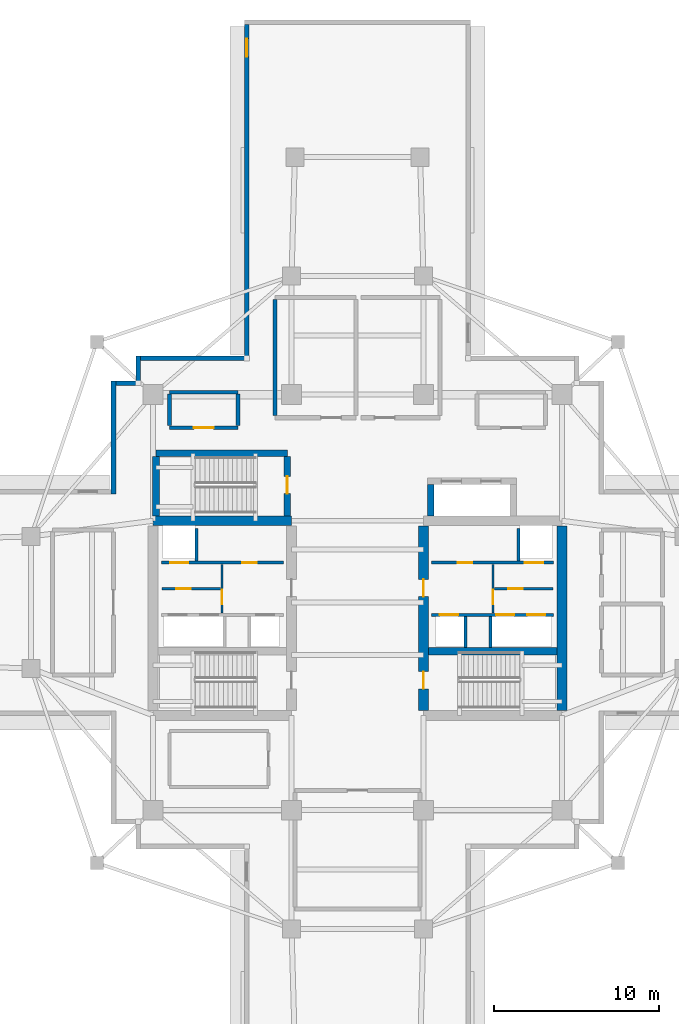
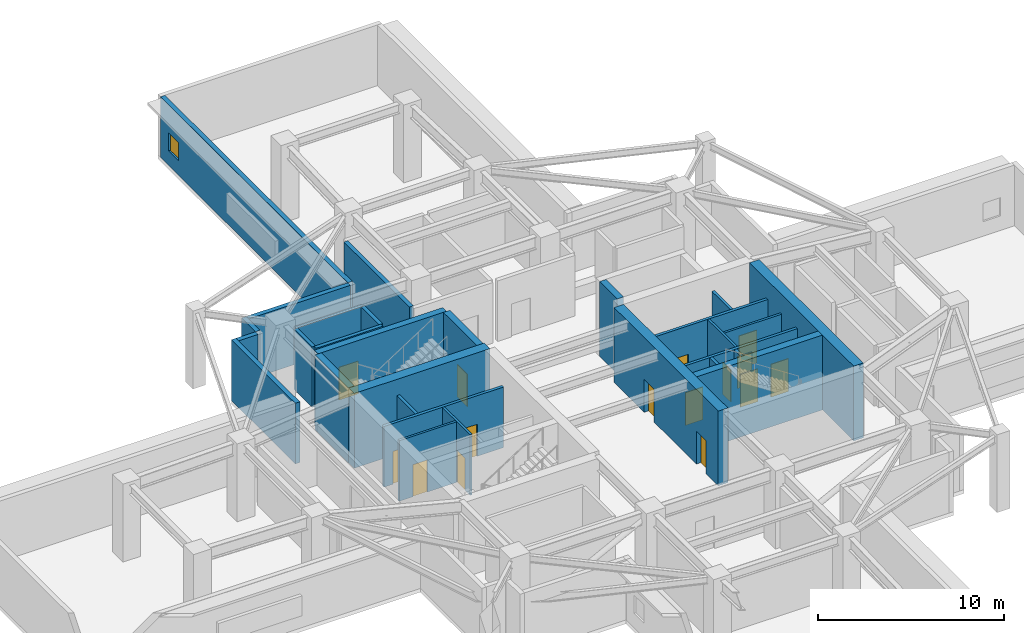
# One storey, part 4 of 11: 29 walls, 15 doors, 1 window, 16 openings.
"""IFC4 building model written with IfcOpenShell, lengths in metres."""

from ifc_helpers import new_model, si_unit, direction, frame, frame_2d, origin, place, context, subcontext, project, spatial, rectangle, extrude, material, layer, layer_set, type_object, element, fill, save


model = new_model("IFC4")

# Units and contexts
model_context = context("Model", 3, precision=1e-05, world=origin(), true_north=direction((0.0, 1.0)))
body_context = subcontext(model_context, "Body", "Model", "MODEL_VIEW")
ifc_project = project(units=[si_unit("LENGTHUNIT", "METRE"), si_unit("AREAUNIT", "SQUARE_METRE"), si_unit("VOLUMEUNIT", "CUBIC_METRE"), si_unit("PLANEANGLEUNIT", "RADIAN"), si_unit("MASSUNIT", "GRAM", prefix="KILO")], contexts=[model_context])

# Site, building, storey
site_placement = place(None, origin())
site = spatial("IfcSite", under=ifc_project, at=site_placement, CompositionType="ELEMENT")
building_placement = place(site_placement, origin())
building = spatial("IfcBuilding", under=site, at=building_placement, Name="Qingluan Cross Belvedere", CompositionType="ELEMENT")
storey_placement = place(building_placement, frame((0.0, 0.0, 143.699951171875)))
storey = spatial("IfcBuildingStorey", under=building, at=storey_placement, Name="L36", CompositionType="ELEMENT", Elevation=143.699951171875)

# Walls
ifc_material_1 = material(Name="Concrete C50", Category="concrete")
ifc_layer_1 = layer(ifc_material_1, 0.449951171875, Name="CoreShearWall_450")
ifc_layer_set_1 = layer_set([ifc_layer_1], Name="Concrete C50")
wall_type_1 = type_object("IfcWallType", Name="CoreShearWall_450", PredefinedType="SHEAR", material=ifc_layer_set_1)
wall_1_placement = place(storey_placement, frame((4.304931640625, -2.9599609375, 0.0), z_axis=(0.0, 0.0, 1.0), x_axis=(1.0, 0.0, 0.0)))
element("IfcWall", 1, at=wall_1_placement, inside=storey, type_object=wall_type_1, Name="Split core E shear wall L36-M", PredefinedType="SHEAR", context=body_context, shape_type="SweptSolid", body=[
    extrude(rectangle(XDim=7.7900390625, YDim=0.449951171875, at=frame_2d((3.89501953125, 0.0))), origin(), (0.0, 0.0, 1.0), 4.900146484375),
])
wall_2_placement = place(storey_placement, frame((-12.219970703125, 9.0400390625, 0.0), z_axis=(0.0, 0.0, 1.0), x_axis=(1.0, 0.0, 0.0)))
element("IfcWall", 2, at=wall_2_placement, inside=storey, type_object=wall_type_1, Name="Stair ST3 structural wall N L36", PredefinedType="SHEAR", context=body_context, shape_type="SweptSolid", body=[
    extrude(rectangle(XDim=7.9599609375, YDim=0.39990234375, at=frame_2d((3.97998046875, 0.0))), origin(), (0.0, 0.0, 1.0), 4.900146484375),
])
wall_3_placement = place(storey_placement, frame((-12.219970703125, 5.2548828125, 0.0), z_axis=(0.0, 0.0, 1.0), x_axis=(0.0, 1.0, 0.0)))
element("IfcWall", 3, at=wall_3_placement, inside=storey, type_object=wall_type_1, Name="Stair ST3 structural wall W L36", PredefinedType="SHEAR", context=body_context, shape_type="SweptSolid", body=[
    extrude(rectangle(XDim=3.580078125, YDim=0.39990234375, at=frame_2d((1.7900390625, 0.0))), origin(), (0.0, 0.0, 1.0), 4.900146484375),
])

# Wall, opening, door
wall_4_placement = place(storey_placement, frame((-4.260009765625, 5.2548828125, 0.0), z_axis=(0.0, 0.0, 1.0), x_axis=(0.0, 1.0, 0.0)))
wall_4 = element("IfcWall", 4, at=wall_4_placement, inside=storey, type_object=wall_type_1, Name="Stair ST3 structural wall E L36", PredefinedType="SHEAR", context=body_context, shape_type="SweptSolid", body=[
    extrude(rectangle(XDim=3.580078125, YDim=0.39990234375, at=frame_2d((1.7900390625, 0.0))), origin(), (0.0, 0.0, 1.0), 4.900146484375),
])
opening_1_placement = place(wall_4_placement, frame((1.344970703125, 0.0, 0.0)))
opening_1 = element("IfcOpeningElement", 5, at=opening_1_placement, cuts=wall_4, Name="Opening FD-B11", PredefinedType="OPENING", context=body_context, shape_type="SweptSolid", body=[
    extrude(rectangle(XDim=1.050048828125, YDim=2.14990234375, at=frame_2d((0.52490234375, 1.074951171875))), frame((0.0, 0.2099609375, 0.0), z_axis=(0.0, -1.0, 0.0), x_axis=(1.0, 0.0, 0.0)), (0.0, 0.0, 1.0), 0.419921875),
])
ifc_material_2 = material(Name="Steel Class B smoke-seal fire door", Category="steel")
door_type_1 = type_object("IfcDoorType", Name="StairLobbyFireDoor_FDB", OperationType="NOTDEFINED", PredefinedType="DOOR", material=ifc_material_2)
door_1_placement = place(opening_1_placement, origin())
door_1 = element("IfcDoor", 6, at=door_1_placement, inside=storey, type_object=door_type_1, Name="Smoke-proof stair ST3 fire door L36", OperationType="SINGLE_SWING_RIGHT", OverallHeight=2.14990234375, OverallWidth=1.050048828125, PredefinedType="DOOR", context=body_context, shape_type="SweptSolid", body=[
    extrude(rectangle(XDim=1.050048828125, YDim=2.14990234375, at=frame_2d((0.52490234375, 1.074951171875))), frame((0.0, 0.02490234375, 0.0), z_axis=(0.0, -1.0, 0.0), x_axis=(1.0, 0.0, 0.0)), (0.0, 0.0, 1.0), 0.050048828125),
])
fill(opening_1, door_1)

# Walls
wall_5_placement = place(storey_placement, frame((4.449951171875, 5.2548828125, 0.0), z_axis=(0.0, 0.0, 1.0), x_axis=(0.0, 1.0, 0.0)))
element("IfcWall", 7, at=wall_5_placement, inside=storey, type_object=wall_type_1, Name="Express shuttle core wall L36-W", PredefinedType="SHEAR", context=body_context, shape_type="SweptSolid", body=[
    extrude(rectangle(XDim=1.885009765625, YDim=0.39990234375, at=frame_2d((0.9423828125, 0.0))), origin(), (0.0, 0.0, 1.0), 4.900146484375),
])
ifc_material_3 = material(Name="Concrete C60", Category="concrete")
ifc_layer_2 = layer(ifc_material_3, 0.60009765625, Name="CoreShearWall_600")
ifc_layer_set_2 = layer_set([ifc_layer_2], Name="Concrete C60")
wall_type_2 = type_object("IfcWallType", Name="CoreShearWall_600", PredefinedType="SHEAR", material=ifc_layer_set_2)
wall_6_placement = place(storey_placement, frame((-12.39990234375, 4.949951171875, 0.0), z_axis=(0.0, 0.0, 1.0), x_axis=(1.0, 0.0, 0.0)))
element("IfcWall", 8, at=wall_6_placement, inside=storey, type_object=wall_type_2, Name="Split core W shear wall L36-N", PredefinedType="SHEAR", context=body_context, shape_type="SweptSolid", body=[
    extrude(rectangle(XDim=8.39990234375, YDim=0.60009765625, at=frame_2d((4.199951171875, 0.0))), origin(), (0.0, 0.0, 1.0), 4.900146484375),
])

# Wall, openings, doors
wall_7_placement = place(storey_placement, frame((4.0, -6.544921875, 0.0), z_axis=(0.0, 0.0, 1.0), x_axis=(0.0, 1.0, 0.0)))
wall_7 = element("IfcWall", 9, at=wall_7_placement, inside=storey, type_object=wall_type_2, Name="Split core E shear wall L36-W", PredefinedType="SHEAR", context=body_context, shape_type="SweptSolid", body=[
    extrude(rectangle(XDim=11.18994140625, YDim=0.60009765625, at=frame_2d((5.594970703125, 0.0))), origin(), (0.0, 0.0, 1.0), 4.900146484375),
])
opening_2_placement = place(wall_7_placement, frame((1.294921875, 0.0, 0.0)))
opening_2 = element("IfcOpeningElement", 10, at=opening_2_placement, cuts=wall_7, Name="Opening FD-B11", PredefinedType="OPENING", context=body_context, shape_type="SweptSolid", body=[
    extrude(rectangle(XDim=1.050048828125, YDim=2.14990234375, at=frame_2d((0.52490234375, 1.074951171875))), frame((0.0, 0.31005859375, 0.0), z_axis=(0.0, -1.0, 0.0), x_axis=(1.0, 0.0, 0.0)), (0.0, 0.0, 1.0), 0.6201171875),
])
opening_3_placement = place(wall_7_placement, frame((6.89501953125, 0.0, 0.0)))
opening_3 = element("IfcOpeningElement", 11, at=opening_3_placement, cuts=wall_7, Name="Opening FD-B11", PredefinedType="OPENING", context=body_context, shape_type="SweptSolid", body=[
    extrude(rectangle(XDim=1.050048828125, YDim=2.14990234375, at=frame_2d((0.52490234375, 1.074951171875))), frame((0.0, 0.31005859375, 0.0), z_axis=(0.0, -1.0, 0.0), x_axis=(1.0, 0.0, 0.0)), (0.0, 0.0, 1.0), 0.6201171875),
])
door_2_placement = place(opening_2_placement, origin())
door_2 = element("IfcDoor", 12, at=door_2_placement, inside=storey, type_object=door_type_1, Name="Smoke-proof stair ST2 fire door L36", OperationType="SINGLE_SWING_LEFT", OverallHeight=2.14990234375, OverallWidth=1.050048828125, PredefinedType="DOOR", context=body_context, shape_type="SweptSolid", body=[
    extrude(rectangle(XDim=1.050048828125, YDim=2.14990234375, at=frame_2d((0.52490234375, 1.074951171875))), frame((0.0, 0.02490234375, 0.0), z_axis=(0.0, -1.0, 0.0), x_axis=(1.0, 0.0, 0.0)), (0.0, 0.0, 1.0), 0.050048828125),
])
fill(opening_2, door_2)
door_3_placement = place(opening_3_placement, origin())
door_3 = element("IfcDoor", 13, at=door_3_placement, inside=storey, type_object=door_type_1, Name="Firefighting lobby East fire door L36", OperationType="SINGLE_SWING_LEFT", OverallHeight=2.14990234375, OverallWidth=1.050048828125, PredefinedType="DOOR", context=body_context, shape_type="SweptSolid", body=[
    extrude(rectangle(XDim=1.050048828125, YDim=2.14990234375, at=frame_2d((0.52490234375, 1.074951171875))), frame((0.0, 0.02490234375, 0.0), z_axis=(0.0, -1.0, 0.0), x_axis=(1.0, 0.0, 0.0)), (0.0, 0.0, 1.0), 0.050048828125),
])
fill(opening_3, door_3)

# Wall
wall_8_placement = place(storey_placement, frame((12.39990234375, -6.544921875, 0.0), z_axis=(0.0, 0.0, 1.0), x_axis=(0.0, 1.0, 0.0)))
element("IfcWall", 14, at=wall_8_placement, inside=storey, type_object=wall_type_2, Name="Split core E shear wall L36-E", PredefinedType="SHEAR", context=body_context, shape_type="SweptSolid", body=[
    extrude(rectangle(XDim=11.18994140625, YDim=0.60009765625, at=frame_2d((5.594970703125, 0.0))), origin(), (0.0, 0.0, 1.0), 4.900146484375),
])

# Wall, opening, door
ifc_material_4 = material(Name="Gypsum plasterboard on steel stud acoustic partition", Category="steel")
ifc_layer_3 = layer(ifc_material_4, 0.159912109375, Name="CorridorPartition_160")
ifc_layer_set_3 = layer_set([ifc_layer_3], Name="Gypsum plasterboard on steel stud acoustic partition")
wall_type_3 = type_object("IfcWallType", Name="CorridorPartition_160", PredefinedType="PARTITIONING", material=ifc_layer_set_3)
wall_9_placement = place(storey_placement, frame((-11.85009765625, 0.830078125, 0.0), z_axis=(0.0, 0.0, 1.0), x_axis=(1.0, 0.0, 0.0)))
wall_9 = element("IfcWall", 15, at=wall_9_placement, inside=storey, type_object=wall_type_3, Name="Partition L36:w", PredefinedType="PARTITIONING", context=body_context, shape_type="SweptSolid", body=[
    extrude(rectangle(XDim=3.552001953125, YDim=0.139892578125, at=frame_2d((1.77587890625, 0.0))), origin(), (0.0, 0.0, 1.0), 3.969970703125),
])
opening_4_placement = place(wall_9_placement, frame((0.85009765625, 0.0, 0.0)))
opening_4 = element("IfcOpeningElement", 16, at=opening_4_placement, cuts=wall_9, Name="Opening FD-B10", PredefinedType="OPENING", context=body_context, shape_type="SweptSolid", body=[
    extrude(rectangle(XDim=0.8798828125, YDim=2.10009765625, at=frame_2d((0.43994140625, 1.050048828125))), frame((0.0, 0.079833984375, 0.0), z_axis=(0.0, -1.0, 0.0), x_axis=(1.0, 0.0, 0.0)), (0.0, 0.0, 1.0), 0.159912109375),
])
ifc_material_5 = material(Name="Steel Class B service fire door", Category="steel")
door_type_2 = type_object("IfcDoorType", Name="RiserServiceFireDoor_FDB", OperationType="NOTDEFINED", PredefinedType="DOOR", material=ifc_material_5)
door_4_placement = place(opening_4_placement, origin())
door_4 = element("IfcDoor", 17, at=door_4_placement, inside=storey, type_object=door_type_2, Name="Service closet inner door L36", OperationType="SINGLE_SWING_LEFT", OverallHeight=2.10009765625, OverallWidth=0.8798828125, PredefinedType="DOOR", context=body_context, shape_type="SweptSolid", body=[
    extrude(rectangle(XDim=0.8798828125, YDim=2.10009765625, at=frame_2d((0.43994140625, 1.050048828125))), frame((0.0, 0.02490234375, 0.0), z_axis=(0.0, -1.0, 0.0), x_axis=(1.0, 0.0, 0.0)), (0.0, 0.0, 1.0), 0.050048828125),
])
fill(opening_4, door_4)

wall_10_placement = place(storey_placement, frame((8.298095703125, 0.830078125, 0.0), z_axis=(0.0, 0.0, 1.0), x_axis=(1.0, 0.0, 0.0)))
wall_10 = element("IfcWall", 18, at=wall_10_placement, inside=storey, type_object=wall_type_3, Name="Partition L36:e", PredefinedType="PARTITIONING", context=body_context, shape_type="SweptSolid", body=[
    extrude(rectangle(XDim=3.552001953125, YDim=0.139892578125, at=frame_2d((1.77587890625, 0.0))), origin(), (0.0, 0.0, 1.0), 3.969970703125),
])
opening_5_placement = place(wall_10_placement, frame((0.85009765625, 0.0, 0.0)))
opening_5 = element("IfcOpeningElement", 19, at=opening_5_placement, cuts=wall_10, Name="Opening FD-B10", PredefinedType="OPENING", context=body_context, shape_type="SweptSolid", body=[
    extrude(rectangle(XDim=0.8798828125, YDim=2.10009765625, at=frame_2d((0.43994140625, 1.050048828125))), frame((0.0, 0.079833984375, 0.0), z_axis=(0.0, -1.0, 0.0), x_axis=(1.0, 0.0, 0.0)), (0.0, 0.0, 1.0), 0.159912109375),
])
door_5_placement = place(opening_5_placement, origin())
door_5 = element("IfcDoor", 20, at=door_5_placement, inside=storey, type_object=door_type_2, Name="Service closet inner door L36", OperationType="SINGLE_SWING_RIGHT", OverallHeight=2.10009765625, OverallWidth=0.8798828125, PredefinedType="DOOR", context=body_context, shape_type="SweptSolid", body=[
    extrude(rectangle(XDim=0.8798828125, YDim=2.10009765625, at=frame_2d((0.43994140625, 1.050048828125))), frame((0.0, 0.02490234375, 0.0), z_axis=(0.0, -1.0, 0.0), x_axis=(1.0, 0.0, 0.0)), (0.0, 0.0, 1.0), 0.050048828125),
])
fill(opening_5, door_5)

wall_11_placement = place(storey_placement, frame((-11.39990234375, 10.60009765625, 0.0), z_axis=(0.0, 0.0, 1.0), x_axis=(1.0, 0.0, 0.0)))
wall_11 = element("IfcWall", 21, at=wall_11_placement, inside=storey, type_object=wall_type_3, Name="Partition L36:refuge_nw:S", PredefinedType="PARTITIONING", context=body_context, shape_type="SweptSolid", body=[
    extrude(rectangle(XDim=4.14990234375, YDim=0.219970703125, at=frame_2d((2.074951171875, 0.0))), origin(), (0.0, 0.0, 1.0), 3.969970703125),
])
opening_6_placement = place(wall_11_placement, frame((1.47509765625, 0.0, 0.0)))
opening_6 = element("IfcOpeningElement", 22, at=opening_6_placement, cuts=wall_11, Name="Opening FD-A12", PredefinedType="OPENING", context=body_context, shape_type="SweptSolid", body=[
    extrude(rectangle(XDim=1.199951171875, YDim=2.14990234375, at=frame_2d((0.60009765625, 1.074951171875))), frame((0.0, 0.119873046875, 0.0), z_axis=(0.0, -1.0, 0.0), x_axis=(1.0, 0.0, 0.0)), (0.0, 0.0, 1.0), 0.239990234375),
])
ifc_material_6 = material(Name="Insulated steel Class A fire door", Category="steel")
door_type_3 = type_object("IfcDoorType", Name="RefugeCompartmentDoor_FDA", OperationType="NOTDEFINED", PredefinedType="DOOR", material=ifc_material_6)
door_6_placement = place(opening_6_placement, origin())
door_6 = element("IfcDoor", 23, at=door_6_placement, inside=storey, type_object=door_type_3, Name="Fire refuge bay Northwest L36 door", OperationType="SINGLE_SWING_LEFT", OverallHeight=2.14990234375, OverallWidth=1.199951171875, PredefinedType="DOOR", context=body_context, shape_type="SweptSolid", body=[
    extrude(rectangle(XDim=1.199951171875, YDim=2.14990234375, at=frame_2d((0.60009765625, 1.074951171875))), frame((0.0, 0.02490234375, 0.0), z_axis=(0.0, -1.0, 0.0), x_axis=(1.0, 0.0, 0.0)), (0.0, 0.0, 1.0), 0.050048828125),
])
fill(opening_6, door_6)

# Walls
wall_12_placement = place(storey_placement, frame((-11.39990234375, 12.75, 0.0), z_axis=(0.0, 0.0, 1.0), x_axis=(1.0, 0.0, 0.0)))
element("IfcWall", 24, at=wall_12_placement, inside=storey, type_object=wall_type_3, Name="Partition L36:refuge_nw:N", PredefinedType="PARTITIONING", context=body_context, shape_type="SweptSolid", body=[
    extrude(rectangle(XDim=4.14990234375, YDim=0.219970703125, at=frame_2d((2.074951171875, 0.0))), origin(), (0.0, 0.0, 1.0), 3.969970703125),
])
for number, where, z_axis, x_axis, name in (
    (25, (-11.39990234375, 10.715087890625, 0.0), (0.0, 0.0, 1.0), (0.0, 1.0, 0.0), "Partition L36:refuge_nw:W"),
    (26, (-7.25, 10.715087890625, 0.0), (0.0, 0.0, 1.0), (0.0, 1.0, 0.0), "Partition L36:refuge_nw:E"),
):
    element("IfcWall", number, at=place(storey_placement, frame(where, z_axis=z_axis, x_axis=x_axis)), inside=storey, type_object=wall_type_3, Name=name, PredefinedType="PARTITIONING", context=body_context, shape_type="SweptSolid", body=[
        extrude(rectangle(XDim=1.919921875, YDim=0.219970703125, at=frame_2d((0.9599609375, 0.0))), origin(), (0.0, 0.0, 1.0), 3.969970703125),
    ])
ifc_material_7 = material(Name="Concrete C40", Category="concrete")
ifc_layer_4 = layer(ifc_material_7, 0.300048828125, Name="FireCompartmentWall_300")
ifc_layer_set_4 = layer_set([ifc_layer_4], Name="Concrete C40")
wall_type_4 = type_object("IfcWallType", Name="FireCompartmentWall_300", PredefinedType="SOLIDWALL", material=ifc_layer_set_4)
wall_13_placement = place(storey_placement, frame((-5.0, 11.330078125, 0.0), z_axis=(0.0, 0.0, 1.0), x_axis=(0.0, 1.0, 0.0)))
element("IfcWall", 27, at=wall_13_placement, inside=storey, type_object=wall_type_4, Name="Partition L36:refuge_n1:W", PredefinedType="SOLIDWALL", context=body_context, shape_type="SweptSolid", body=[
    extrude(rectangle(XDim=7.0400390625, YDim=0.25, at=frame_2d((3.52001953125, 0.0))), origin(), (0.0, 0.0, 1.0), 3.969970703125),
])

# Wall, opening, window
ifc_material_8 = material(Name="Precast concrete C45", Category="concrete")
ifc_layer_5 = layer(ifc_material_8, 0.280029296875, Name="PrecastFacadeWall_280")
ifc_layer_set_5 = layer_set([ifc_layer_5], Name="Precast concrete C45")
wall_type_5 = type_object("IfcWallType", Name="PrecastFacadeWall_280", PredefinedType="STANDARD", material=ifc_layer_set_5)
wall_14_placement = place(storey_placement, frame((-6.719970703125, 35.0400390625, 0.0), z_axis=(0.0, 0.0, 1.0), x_axis=(0.0, -1.0, 0.0)))
wall_14 = element("IfcWall", 28, at=wall_14_placement, inside=storey, type_object=wall_type_5, Name="Facade wall L36-NB", PredefinedType="STANDARD", context=body_context, shape_type="SweptSolid", body=[
    extrude(rectangle(XDim=20.10009765625, YDim=0.280029296875, at=frame_2d((10.050048828125, 0.0))), origin(), (0.0, 0.0, 1.0), 3.97998046875),
])
opening_7_placement = place(wall_14_placement, frame((0.85009765625, 0.0, 0.949951171875)))
opening_7 = element("IfcOpeningElement", 29, at=opening_7_placement, cuts=wall_14, Name="Opening W-07", PredefinedType="OPENING", context=body_context, shape_type="SweptSolid", body=[
    extrude(rectangle(XDim=1.10009765625, YDim=1.199951171875, at=frame_2d((0.550048828125, 0.60009765625))), frame((0.0, 0.14990234375, 0.0), z_axis=(0.0, -1.0, 0.0), x_axis=(1.0, 0.0, 0.0)), (0.0, 0.0, 1.0), 0.300048828125),
])
ifc_material_9 = material(Name="Thermally broken triple Low-E glass in aluminium frame", Category="aluminium")
window_type = type_object("IfcWindowType", Name="RefugeSmokeWin_1100x1200", PartitioningType="SINGLE_PANEL", PredefinedType="WINDOW", material=ifc_material_9)
window_placement = place(opening_7_placement, origin())
window = element("IfcWindow", 30, at=window_placement, inside=storey, type_object=window_type, Name="Refuge operable smoke window L36-NB", OverallHeight=1.199951171875, OverallWidth=1.10009765625, PartitioningType="SINGLE_PANEL", PredefinedType="WINDOW", context=body_context, shape_type="SweptSolid", body=[
    extrude(rectangle(XDim=1.10009765625, YDim=1.199951171875, at=frame_2d((0.550048828125, 0.60009765625))), frame((0.0, 0.030029296875, 0.0), z_axis=(0.0, -1.0, 0.0), x_axis=(1.0, 0.0, 0.0)), (0.0, 0.0, 1.0), 0.06005859375),
])
fill(opening_7, window)

# Walls
wall_15_placement = place(storey_placement, frame((-14.800048828125, 6.580078125, 0.0), z_axis=(0.0, 0.0, 1.0), x_axis=(0.0, 1.0, 0.0)))
element("IfcWall", 31, at=wall_15_placement, inside=storey, type_object=wall_type_5, Name="Corner wall L36-NW1", PredefinedType="STANDARD", context=body_context, shape_type="SweptSolid", body=[
    extrude(rectangle(XDim=6.85986328125, YDim=0.280029296875, at=frame_2d((3.429931640625, 0.0))), origin(), (0.0, 0.0, 1.0), 3.97998046875),
])
wall_16_placement = place(storey_placement, frame((-14.659912109375, 13.300048828125, 0.0), z_axis=(0.0, 0.0, 1.0), x_axis=(1.0, 0.0, 0.0)))
element("IfcWall", 32, at=wall_16_placement, inside=storey, type_object=wall_type_5, Name="Corner wall L36-NW2", PredefinedType="STANDARD", context=body_context, shape_type="SweptSolid", body=[
    extrude(rectangle(XDim=1.219970703125, YDim=0.280029296875, at=frame_2d((0.60986328125, 0.0))), origin(), (0.0, 0.0, 1.0), 3.97998046875),
])
wall_17_placement = place(storey_placement, frame((-13.300048828125, 13.43994140625, 0.0), z_axis=(0.0, 0.0, 1.0), x_axis=(0.0, 1.0, 0.0)))
element("IfcWall", 33, at=wall_17_placement, inside=storey, type_object=wall_type_5, Name="Corner wall L36-NW3", PredefinedType="STANDARD", context=body_context, shape_type="SweptSolid", body=[
    extrude(rectangle(XDim=1.5, YDim=0.280029296875, at=frame_2d((0.75, 0.0))), origin(), (0.0, 0.0, 1.0), 3.97998046875),
])
wall_18_placement = place(storey_placement, frame((-13.159912109375, 14.800048828125, 0.0), z_axis=(0.0, 0.0, 1.0), x_axis=(1.0, 0.0, 0.0)))
element("IfcWall", 34, at=wall_18_placement, inside=storey, type_object=wall_type_5, Name="Corner wall L36-NW4", PredefinedType="STANDARD", context=body_context, shape_type="SweptSolid", body=[
    extrude(rectangle(XDim=6.2998046875, YDim=0.280029296875, at=frame_2d((3.14990234375, 0.0))), origin(), (0.0, 0.0, 1.0), 3.97998046875),
])

# Wall, openings, doors
ifc_material_10 = material(Name="Concrete C40", Category="concrete")
ifc_layer_6 = layer(ifc_material_10, 0.219970703125, Name="ShaftEnclosureWall_250")
ifc_layer_set_6 = layer_set([ifc_layer_6], Name="Concrete C40")
wall_type_6 = type_object("IfcWallType", Name="ShaftEnclosureWall_250", PredefinedType="SOLIDWALL", material=ifc_layer_set_6)
wall_19_placement = place(storey_placement, frame((-11.89990234375, 2.409912109375, 0.0), z_axis=(0.0, 0.0, 1.0), x_axis=(1.0, 0.0, 0.0)))
wall_19 = element("IfcWall", 35, at=wall_19_placement, inside=storey, type_object=wall_type_6, Name="Core-W north hoistway wall L36", PredefinedType="SOLIDWALL", context=body_context, shape_type="SweptSolid", body=[
    extrude(rectangle(XDim=7.419921875, YDim=0.179931640625, at=frame_2d((3.7099609375, 0.0))), origin(), (0.0, 0.0, 1.0), 3.969970703125),
])
opening_8_placement = place(wall_19_placement, frame((0.550048828125, 0.0, 0.0)))
opening_8 = element("IfcOpeningElement", 36, at=opening_8_placement, cuts=wall_19, Name="Opening LD-11", PredefinedType="OPENING", context=body_context, shape_type="SweptSolid", body=[
    extrude(rectangle(XDim=1.10009765625, YDim=2.14990234375, at=frame_2d((0.550048828125, 1.074951171875))), frame((0.0, 0.099853515625, 0.0), z_axis=(0.0, -1.0, 0.0), x_axis=(1.0, 0.0, 0.0)), (0.0, 0.0, 1.0), 0.199951171875),
])
opening_9_placement = place(wall_19_placement, frame((4.89990234375, 0.0, 0.0)))
opening_9 = element("IfcOpeningElement", 37, at=opening_9_placement, cuts=wall_19, Name="Opening FD-B10", PredefinedType="OPENING", context=body_context, shape_type="SweptSolid", body=[
    extrude(rectangle(XDim=0.8798828125, YDim=2.10009765625, at=frame_2d((0.43994140625, 1.050048828125))), frame((0.0, 0.099853515625, 0.0), z_axis=(0.0, -1.0, 0.0), x_axis=(1.0, 0.0, 0.0)), (0.0, 0.0, 1.0), 0.199951171875),
])
ifc_material_11 = material(Name="Brushed stainless steel centre-opening lift landing door", Category="steel")
door_type_4 = type_object("IfcDoorType", Name="LiftLandingSlidingDoor_1100", OperationType="DOUBLE_DOOR_SLIDING", PredefinedType="DOOR", material=ifc_material_11)
door_7_placement = place(opening_8_placement, origin())
door_7 = element("IfcDoor", 38, at=door_7_placement, inside=storey, type_object=door_type_4, Name="Lift landing sliding door FL1 L36", OperationType="DOUBLE_DOOR_SLIDING", OverallHeight=2.14990234375, OverallWidth=1.10009765625, PredefinedType="DOOR", context=body_context, shape_type="SweptSolid", body=[
    extrude(rectangle(XDim=1.10009765625, YDim=2.14990234375, at=frame_2d((0.550048828125, 1.074951171875))), frame((0.0, 0.02490234375, 0.0), z_axis=(0.0, -1.0, 0.0), x_axis=(1.0, 0.0, 0.0)), (0.0, 0.0, 1.0), 0.050048828125),
])
fill(opening_8, door_7)
door_8_placement = place(opening_9_placement, origin())
door_8 = element("IfcDoor", 39, at=door_8_placement, inside=storey, type_object=door_type_2, Name="Housekeeping supply room door W L36", OperationType="SINGLE_SWING_LEFT", OverallHeight=2.10009765625, OverallWidth=0.8798828125, PredefinedType="DOOR", context=body_context, shape_type="SweptSolid", body=[
    extrude(rectangle(XDim=0.8798828125, YDim=2.10009765625, at=frame_2d((0.43994140625, 1.050048828125))), frame((0.0, 0.02490234375, 0.0), z_axis=(0.0, -1.0, 0.0), x_axis=(1.0, 0.0, 0.0)), (0.0, 0.0, 1.0), 0.050048828125),
])
fill(opening_9, door_8)

wall_20_placement = place(storey_placement, frame((4.47998046875, 2.409912109375, 0.0), z_axis=(0.0, 0.0, 1.0), x_axis=(1.0, 0.0, 0.0)))
wall_20 = element("IfcWall", 40, at=wall_20_placement, inside=storey, type_object=wall_type_6, Name="Core-E north hoistway wall L36", PredefinedType="SOLIDWALL", context=body_context, shape_type="SweptSolid", body=[
    extrude(rectangle(XDim=7.419921875, YDim=0.179931640625, at=frame_2d((3.7099609375, 0.0))), origin(), (0.0, 0.0, 1.0), 3.969970703125),
])
opening_10_placement = place(wall_20_placement, frame((5.669921875, 0.0, 0.0)))
opening_10 = element("IfcOpeningElement", 41, at=opening_10_placement, cuts=wall_20, Name="Opening LD-11", PredefinedType="OPENING", context=body_context, shape_type="SweptSolid", body=[
    extrude(rectangle(XDim=1.10009765625, YDim=2.14990234375, at=frame_2d((0.550048828125, 1.074951171875))), frame((0.0, 0.099853515625, 0.0), z_axis=(0.0, -1.0, 0.0), x_axis=(1.0, 0.0, 0.0)), (0.0, 0.0, 1.0), 0.199951171875),
])
opening_11_placement = place(wall_20_placement, frame((1.60009765625, 0.0, 0.0)))
opening_11 = element("IfcOpeningElement", 42, at=opening_11_placement, cuts=wall_20, Name="Opening FD-B10", PredefinedType="OPENING", context=body_context, shape_type="SweptSolid", body=[
    extrude(rectangle(XDim=0.8798828125, YDim=2.10009765625, at=frame_2d((0.43994140625, 1.050048828125))), frame((0.0, 0.099853515625, 0.0), z_axis=(0.0, -1.0, 0.0), x_axis=(1.0, 0.0, 0.0)), (0.0, 0.0, 1.0), 0.199951171875),
])
door_9_placement = place(opening_10_placement, origin())
door_9 = element("IfcDoor", 43, at=door_9_placement, inside=storey, type_object=door_type_4, Name="Lift landing sliding door FL2 L36", OperationType="DOUBLE_DOOR_SLIDING", OverallHeight=2.14990234375, OverallWidth=1.10009765625, PredefinedType="DOOR", context=body_context, shape_type="SweptSolid", body=[
    extrude(rectangle(XDim=1.10009765625, YDim=2.14990234375, at=frame_2d((0.550048828125, 1.074951171875))), frame((0.0, 0.02490234375, 0.0), z_axis=(0.0, -1.0, 0.0), x_axis=(1.0, 0.0, 0.0)), (0.0, 0.0, 1.0), 0.050048828125),
])
fill(opening_10, door_9)
door_10_placement = place(opening_11_placement, origin())
door_10 = element("IfcDoor", 44, at=door_10_placement, inside=storey, type_object=door_type_2, Name="Pantry room door E L36", OperationType="SINGLE_SWING_RIGHT", OverallHeight=2.10009765625, OverallWidth=0.8798828125, PredefinedType="DOOR", context=body_context, shape_type="SweptSolid", body=[
    extrude(rectangle(XDim=0.8798828125, YDim=2.10009765625, at=frame_2d((0.43994140625, 1.050048828125))), frame((0.0, 0.02490234375, 0.0), z_axis=(0.0, -1.0, 0.0), x_axis=(1.0, 0.0, 0.0)), (0.0, 0.0, 1.0), 0.050048828125),
])
fill(opening_11, door_10)

wall_21_placement = place(storey_placement, frame((4.47998046875, -0.75, 0.0), z_axis=(0.0, 0.0, 1.0), x_axis=(1.0, 0.0, 0.0)))
wall_21 = element("IfcWall", 45, at=wall_21_placement, inside=storey, type_object=wall_type_6, Name="Core-E mid hoistway wall L36", PredefinedType="SOLIDWALL", context=body_context, shape_type="SweptSolid", body=[
    extrude(rectangle(XDim=7.419921875, YDim=0.179931640625, at=frame_2d((3.7099609375, 0.0))), origin(), (0.0, 0.0, 1.0), 3.969970703125),
])
opening_12_placement = place(wall_21_placement, frame((0.52001953125, 0.0, 0.0)))
opening_12 = element("IfcOpeningElement", 46, at=opening_12_placement, cuts=wall_21, Name="Opening LD-11", PredefinedType="OPENING", context=body_context, shape_type="SweptSolid", body=[
    extrude(rectangle(XDim=1.10009765625, YDim=2.14990234375, at=frame_2d((0.550048828125, 1.074951171875))), frame((0.0, 0.099853515625, 0.0), z_axis=(0.0, -1.0, 0.0), x_axis=(1.0, 0.0, 0.0)), (0.0, 0.0, 1.0), 0.199951171875),
])
opening_13_placement = place(wall_21_placement, frame((3.919921875, 0.0, 0.0)))
opening_13 = element("IfcOpeningElement", 47, at=opening_13_placement, cuts=wall_21, Name="Opening LD-11", PredefinedType="OPENING", context=body_context, shape_type="SweptSolid", body=[
    extrude(rectangle(XDim=1.10009765625, YDim=2.14990234375, at=frame_2d((0.550048828125, 1.074951171875))), frame((0.0, 0.099853515625, 0.0), z_axis=(0.0, -1.0, 0.0), x_axis=(1.0, 0.0, 0.0)), (0.0, 0.0, 1.0), 0.199951171875),
])
opening_14_placement = place(wall_21_placement, frame((5.820068359375, 0.0, 0.0)))
opening_14 = element("IfcOpeningElement", 48, at=opening_14_placement, cuts=wall_21, Name="Opening LD-11", PredefinedType="OPENING", context=body_context, shape_type="SweptSolid", body=[
    extrude(rectangle(XDim=1.10009765625, YDim=2.14990234375, at=frame_2d((0.550048828125, 1.074951171875))), frame((0.0, 0.099853515625, 0.0), z_axis=(0.0, -1.0, 0.0), x_axis=(1.0, 0.0, 0.0)), (0.0, 0.0, 1.0), 0.199951171875),
])
door_11_placement = place(opening_12_placement, origin())
door_11 = element("IfcDoor", 49, at=door_11_placement, inside=storey, type_object=door_type_4, Name="Lift landing sliding door LP7 L36", OperationType="DOUBLE_DOOR_SLIDING", OverallHeight=2.14990234375, OverallWidth=1.10009765625, PredefinedType="DOOR", context=body_context, shape_type="SweptSolid", body=[
    extrude(rectangle(XDim=1.10009765625, YDim=2.14990234375, at=frame_2d((0.550048828125, 1.074951171875))), frame((0.0, 0.02490234375, 0.0), z_axis=(0.0, -1.0, 0.0), x_axis=(1.0, 0.0, 0.0)), (0.0, 0.0, 1.0), 0.050048828125),
])
fill(opening_12, door_11)
door_12_placement = place(opening_13_placement, origin())
door_12 = element("IfcDoor", 50, at=door_12_placement, inside=storey, type_object=door_type_4, Name="Lift landing sliding door LP9 L36", OperationType="DOUBLE_DOOR_SLIDING", OverallHeight=2.14990234375, OverallWidth=1.10009765625, PredefinedType="DOOR", context=body_context, shape_type="SweptSolid", body=[
    extrude(rectangle(XDim=1.10009765625, YDim=2.14990234375, at=frame_2d((0.550048828125, 1.074951171875))), frame((0.0, 0.02490234375, 0.0), z_axis=(0.0, -1.0, 0.0), x_axis=(1.0, 0.0, 0.0)), (0.0, 0.0, 1.0), 0.050048828125),
])
fill(opening_13, door_12)
door_13_placement = place(opening_14_placement, origin())
door_13 = element("IfcDoor", 51, at=door_13_placement, inside=storey, type_object=door_type_4, Name="Lift landing sliding door LP10 L36", OperationType="DOUBLE_DOOR_SLIDING", OverallHeight=2.14990234375, OverallWidth=1.10009765625, PredefinedType="DOOR", context=body_context, shape_type="SweptSolid", body=[
    extrude(rectangle(XDim=1.10009765625, YDim=2.14990234375, at=frame_2d((0.550048828125, 1.074951171875))), frame((0.0, 0.02490234375, 0.0), z_axis=(0.0, -1.0, 0.0), x_axis=(1.0, 0.0, 0.0)), (0.0, 0.0, 1.0), 0.050048828125),
])
fill(opening_14, door_13)

# Walls
for number, where, z_axis, x_axis, name in (
    (52, (-9.760009765625, 2.5, 0.0), (0.0, 0.0, 1.0), (0.0, 1.0, 0.0), "Hoistway enclosure divider FL1E L36"),
    (53, (9.760009765625, 2.5, 0.0), (0.0, 0.0, 1.0), (0.0, 1.0, 0.0), "Hoistway enclosure divider FL2W L36"),
):
    element("IfcWall", number, at=place(storey_placement, frame(where, z_axis=z_axis, x_axis=x_axis)), inside=storey, type_object=wall_type_6, Name=name, PredefinedType="SOLIDWALL", context=body_context, shape_type="SweptSolid", body=[
        extrude(rectangle(XDim=1.989990234375, YDim=0.179931640625, at=frame_2d((0.9951171875, 0.0))), origin(), (0.0, 0.0, 1.0), 3.969970703125),
    ])
for number, where, z_axis, x_axis, name in (
    (54, (6.5400390625, -2.72998046875, 0.0), (0.0, 0.0, 1.0), (0.0, 1.0, 0.0), "Hoistway enclosure divider LP7E L36"),
    (55, (8.06005859375, -2.72998046875, 0.0), (0.0, 0.0, 1.0), (0.0, 1.0, 0.0), "Hoistway enclosure divider LP9W L36"),
):
    element("IfcWall", number, at=place(storey_placement, frame(where, z_axis=z_axis, x_axis=x_axis)), inside=storey, type_object=wall_type_6, Name=name, PredefinedType="SOLIDWALL", context=body_context, shape_type="SweptSolid", body=[
        extrude(rectangle(XDim=1.889892578125, YDim=0.179931640625, at=frame_2d((0.94482421875, 0.0))), origin(), (0.0, 0.0, 1.0), 3.969970703125),
    ])

# Wall, opening, door
wall_22_placement = place(storey_placement, frame((-8.219970703125, -0.64990234375, 0.0), z_axis=(0.0, 0.0, 1.0), x_axis=(0.0, 1.0, 0.0)))
wall_22 = element("IfcWall", 56, at=wall_22_placement, inside=storey, type_object=wall_type_6, Name="Core-W service corridor wall L36", PredefinedType="SOLIDWALL", context=body_context, shape_type="SweptSolid", body=[
    extrude(rectangle(XDim=2.9599609375, YDim=0.139892578125, at=frame_2d((1.47998046875, 0.0))), origin(), (0.0, 0.0, 1.0), 3.969970703125),
])
opening_15_placement = place(wall_22_placement, frame((0.550048828125, 0.0, 0.0)))
opening_15 = element("IfcOpeningElement", 57, at=opening_15_placement, cuts=wall_22, Name="Opening FD-B10", PredefinedType="OPENING", context=body_context, shape_type="SweptSolid", body=[
    extrude(rectangle(XDim=0.8798828125, YDim=2.10009765625, at=frame_2d((0.43994140625, 1.050048828125))), frame((0.0, 0.079833984375, 0.0), z_axis=(0.0, -1.0, 0.0), x_axis=(1.0, 0.0, 0.0)), (0.0, 0.0, 1.0), 0.159912109375),
])
door_14_placement = place(opening_15_placement, origin())
door_14 = element("IfcDoor", 58, at=door_14_placement, inside=storey, type_object=door_type_2, Name="Core-W service room door L36", OperationType="SINGLE_SWING_LEFT", OverallHeight=2.10009765625, OverallWidth=0.8798828125, PredefinedType="DOOR", context=body_context, shape_type="SweptSolid", body=[
    extrude(rectangle(XDim=0.8798828125, YDim=2.10009765625, at=frame_2d((0.43994140625, 1.050048828125))), frame((0.0, 0.02490234375, 0.0), z_axis=(0.0, -1.0, 0.0), x_axis=(1.0, 0.0, 0.0)), (0.0, 0.0, 1.0), 0.050048828125),
])
fill(opening_15, door_14)

wall_23_placement = place(storey_placement, frame((8.219970703125, -0.64990234375, 0.0), z_axis=(0.0, 0.0, 1.0), x_axis=(0.0, 1.0, 0.0)))
wall_23 = element("IfcWall", 59, at=wall_23_placement, inside=storey, type_object=wall_type_6, Name="Core-E service corridor wall L36", PredefinedType="SOLIDWALL", context=body_context, shape_type="SweptSolid", body=[
    extrude(rectangle(XDim=2.9599609375, YDim=0.139892578125, at=frame_2d((1.47998046875, 0.0))), origin(), (0.0, 0.0, 1.0), 3.969970703125),
])
opening_16_placement = place(wall_23_placement, frame((0.550048828125, 0.0, 0.0)))
opening_16 = element("IfcOpeningElement", 60, at=opening_16_placement, cuts=wall_23, Name="Opening FD-B10", PredefinedType="OPENING", context=body_context, shape_type="SweptSolid", body=[
    extrude(rectangle(XDim=0.8798828125, YDim=2.10009765625, at=frame_2d((0.43994140625, 1.050048828125))), frame((0.0, 0.079833984375, 0.0), z_axis=(0.0, -1.0, 0.0), x_axis=(1.0, 0.0, 0.0)), (0.0, 0.0, 1.0), 0.159912109375),
])
door_15_placement = place(opening_16_placement, origin())
door_15 = element("IfcDoor", 61, at=door_15_placement, inside=storey, type_object=door_type_2, Name="Core-E service room door L36", OperationType="SINGLE_SWING_RIGHT", OverallHeight=2.10009765625, OverallWidth=0.8798828125, PredefinedType="DOOR", context=body_context, shape_type="SweptSolid", body=[
    extrude(rectangle(XDim=0.8798828125, YDim=2.10009765625, at=frame_2d((0.43994140625, 1.050048828125))), frame((0.0, 0.02490234375, 0.0), z_axis=(0.0, -1.0, 0.0), x_axis=(1.0, 0.0, 0.0)), (0.0, 0.0, 1.0), 0.050048828125),
])
fill(opening_16, door_15)

save(model, "model.ifc")
